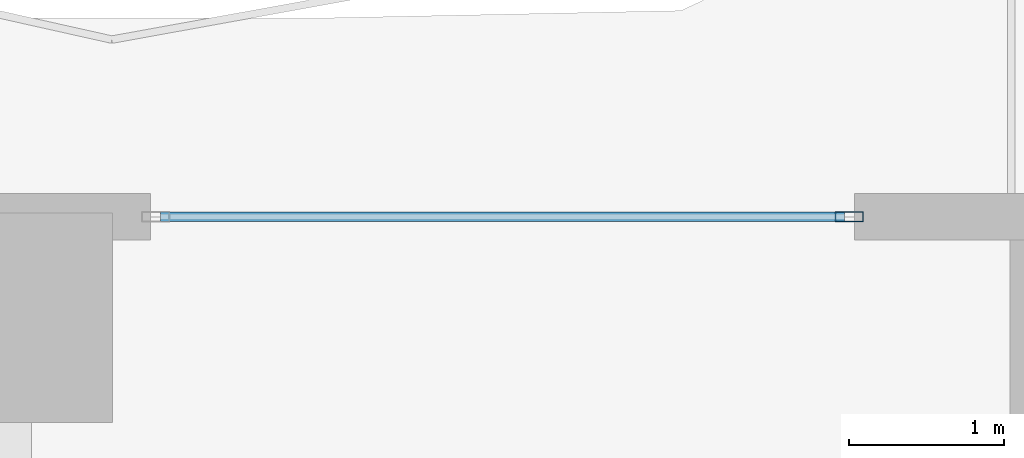
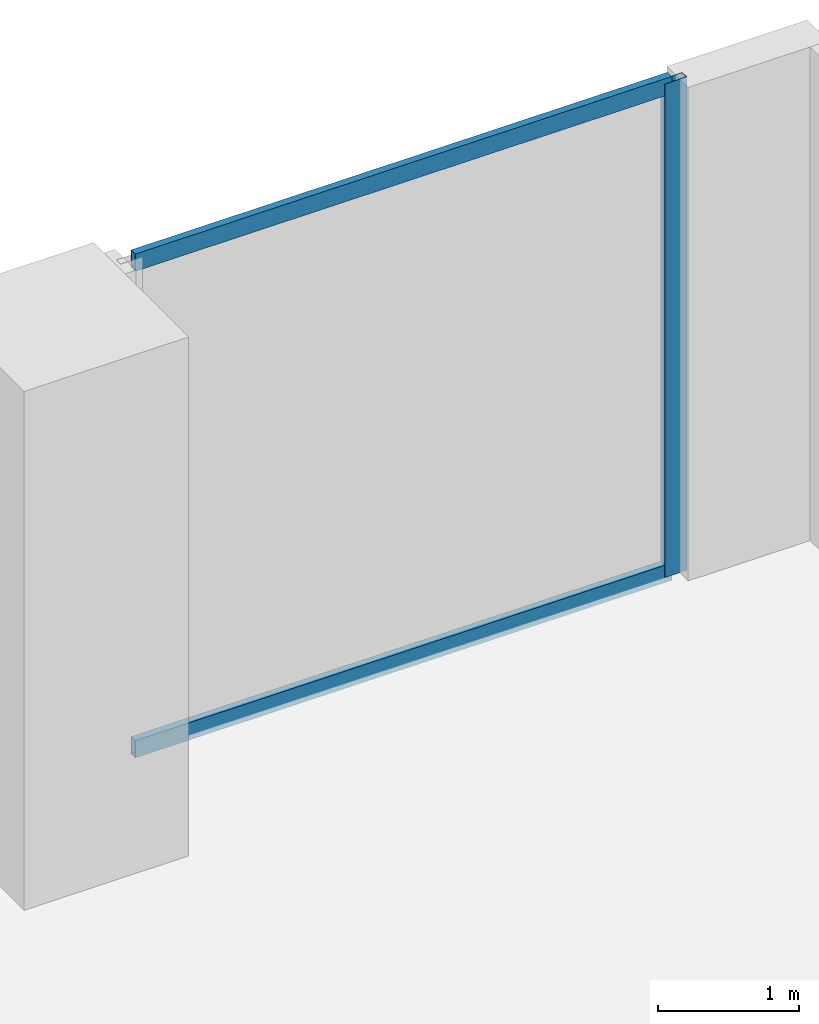
# One storey, part 22 of 33: 3 members, 1 element without a shape of its own.
"""IFC4 building model written with IfcOpenShell, lengths in metres."""

from ifc_helpers import new_model, si_unit, direction, frame, origin, origin_2d, place, context, subcontext, project, spatial, hollow_rectangle, extrude, material, layer, layer_set, material_profile, profile_set, type_object, element, aggregate, save


model = new_model("IFC4")

# Units and contexts
model_context = context("Model", 3, precision=1e-05, world=origin(), true_north=direction((0.0, 1.0)))
body_context = subcontext(model_context, "Body", "Model", "MODEL_VIEW")
ifc_project = project(units=[si_unit("LENGTHUNIT", "METRE"), si_unit("AREAUNIT", "SQUARE_METRE"), si_unit("VOLUMEUNIT", "CUBIC_METRE"), si_unit("PLANEANGLEUNIT", "RADIAN"), si_unit("MASSUNIT", "GRAM", prefix="KILO")], contexts=[model_context])

# Site, building, storey
site_placement = place(None, origin())
site = spatial("IfcSite", under=ifc_project, at=site_placement, CompositionType="ELEMENT")
building_placement = place(site_placement, origin())
building = spatial("IfcBuilding", under=site, at=building_placement, Name="Zuhayl Quay Hotel", CompositionType="ELEMENT")
storey_placement = place(building_placement, frame((0.0, 0.0, 154.050048828125)))
storey = spatial("IfcBuildingStorey", under=building, at=storey_placement, Name="L39", CompositionType="ELEMENT", Elevation=154.050048828125)

# Curtain wall, members
ifc_material_1 = material(Name="Anodised Aluminium 6063-T6", Category="aluminium")
ifc_layer = layer(ifc_material_1, 0.179931640625, Name="Anodised Aluminium 6063-T6", Category="aluminium")
ifc_layer_set = layer_set([ifc_layer], Name="Anodised Aluminium 6063-T6")
curtain_wall_type = type_object("IfcCurtainWallType", Name="CW_SYS_Z2", PredefinedType="USERDEFINED", material=ifc_layer_set)
curtain_wall_placement = place(storey_placement, origin())
curtain_wall = element("IfcCurtainWall", 1, at=curtain_wall_placement, inside=storey, type_object=curtain_wall_type, Name="L39 Curtain Wall ENV_L39_N_CW4", ObjectType="UNITISED CURTAIN WALL", PredefinedType="USERDEFINED")
ifc_material_2 = material(Name="Black-anodised aluminium 6063-T6", Category="aluminium")
ifc_material_profile_1 = material_profile(ifc_material_2, hollow_rectangle(XDim=0.06494140625, YDim=0.179931640625, WallThickness=0.00341796875, at=origin_2d()), Name="ALU180X65")
ifc_profile_set_1 = profile_set([ifc_material_profile_1], Name="Black-anodised aluminium 6063-T6")
member_type_1 = type_object("IfcMemberType", Name="MB_CW_MUL_180", PredefinedType="MULLION", material=ifc_profile_set_1)
member_1_placement = place(storey_placement, frame((19.217529296875, 28.39990234375, 0.0), z_axis=(0.0, 0.0, 1.0), x_axis=(0.0, 1.0, 0.0)))
member_1 = element("IfcMember", 2, at=member_1_placement, type_object=member_type_1, Name="CW-Z2 mullion 2", PredefinedType="MULLION", context=body_context, shape_type="SweptSolid", body=[
    extrude(hollow_rectangle(XDim=0.06494140625, YDim=0.179931640625, WallThickness=0.00341796875, at=origin_2d()), origin(), (0.0, 0.0, 1.0), 4.280029296875),
])
ifc_material_profile_2 = material_profile(ifc_material_2, hollow_rectangle(XDim=0.06005859375, YDim=0.14990234375, WallThickness=0.00341796875, at=origin_2d()), Name="ALU150X60")
ifc_profile_set_2 = profile_set([ifc_material_profile_2], Name="Black-anodised aluminium 6063-T6")
member_type_2 = type_object("IfcMemberType", Name="MB_CW_TRN_150", PredefinedType="USERDEFINED", material=ifc_profile_set_2)
member_2_placement = place(storey_placement, frame((14.784912109375, 28.39990234375, 0.030029296875), z_axis=(1.0, 0.0, 0.0), x_axis=(0.0, 1.0, 0.0)))
member_2 = element("IfcMember", 3, at=member_2_placement, type_object=member_type_2, Name="CW-Z2 transom 1.1", ObjectType="TRANSOM", PredefinedType="USERDEFINED", context=body_context, shape_type="SweptSolid", body=[
    extrude(hollow_rectangle(XDim=0.06005859375, YDim=0.14990234375, WallThickness=0.00341796875, at=origin_2d()), origin(), (0.0, 0.0, 1.0), 4.400146484375),
])
member_3_placement = place(storey_placement, frame((14.784912109375, 28.39990234375, 4.25), z_axis=(1.0, 0.0, 0.0), x_axis=(0.0, 1.0, 0.0)))
member_3 = element("IfcMember", 4, at=member_3_placement, type_object=member_type_2, Name="CW-Z2 transom 1.2", ObjectType="TRANSOM", PredefinedType="USERDEFINED", context=body_context, shape_type="SweptSolid", body=[
    extrude(hollow_rectangle(XDim=0.06005859375, YDim=0.14990234375, WallThickness=0.00341796875, at=origin_2d()), origin(), (0.0, 0.0, 1.0), 4.400146484375),
])
aggregate(curtain_wall, [member_1, member_2, member_3])

save(model, "model.ifc")
